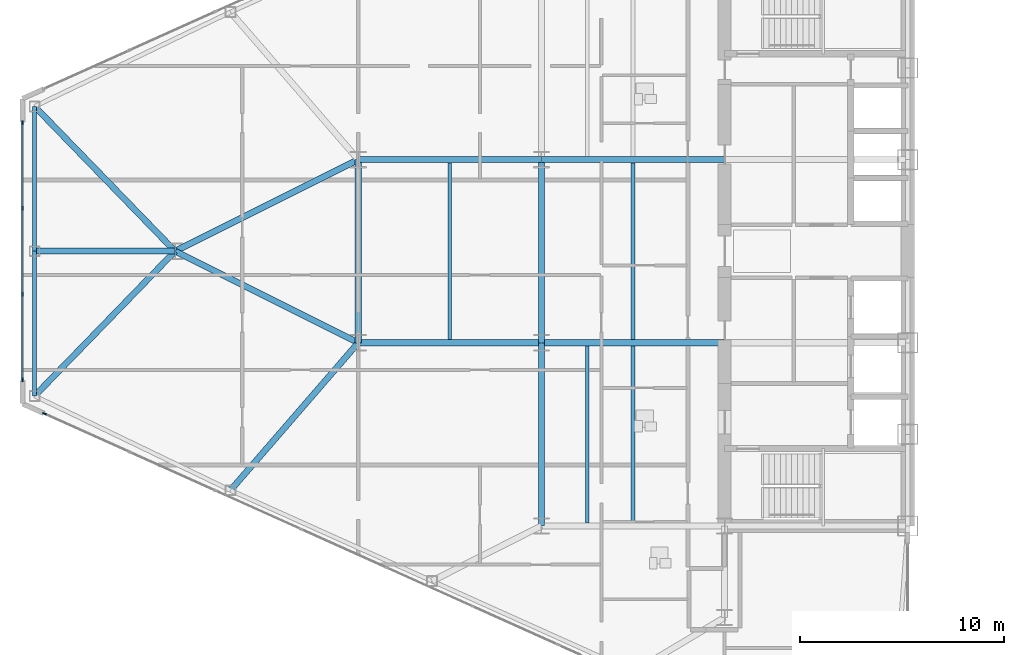
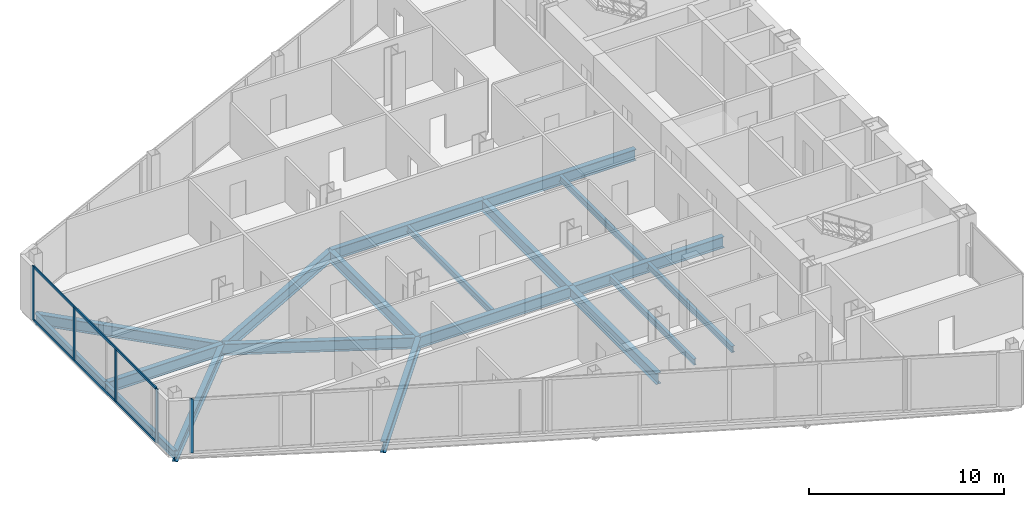
# One storey, part 5 of 27: 19 beams, 7 members, 2 elements without a shape of their own.
"""IFC4 building model written with IfcOpenShell, lengths in metres."""

import ifcopenshell
import ifcopenshell.guid

model = None  # the IFC model being written
_history = None  # IfcOwnerHistory: only IFC2X3 demands one
_inside = {}  # id of a spatial element -> (the spatial element, [elements in it])
_under = {}  # id of a project, library or spatial element -> (it, [spatial elements below it])
_declared = {}  # id of a project -> (the project, [libraries it declares])
_typed = {}  # id of a type object -> (the type object, [elements of that type])
_made_of = {}  # id of a material, layer set ... -> (it, [elements and type objects made of it])


def new_model(schema):
    """Start an empty IFC model of exactly this schema.

    Asked for "IFC4X3", IfcOpenShell would pick the latest addendum, in which some entities
    have other attributes; the version numbers below select the first issue.
    IFC2X3 requires an IfcOwnerHistory on every rooted entity: one is made here for all.
    """
    global model, _history
    if schema == "IFC4X3":
        model = ifcopenshell.file(schema_version=(4, 3, 0, 0))
    else:
        model = ifcopenshell.file(schema=schema)
    _inside.clear()
    _under.clear()
    _declared.clear()
    _typed.clear()
    _made_of.clear()
    _history = None
    if model.schema == "IFC2X3":
        org = make("IfcOrganization", Name="unknown")
        user = make(
            "IfcPersonAndOrganization",
            ThePerson=make("IfcPerson", FamilyName="unknown"),
            TheOrganization=org,
        )
        app = make(
            "IfcApplication",
            ApplicationDeveloper=org,
            Version="unknown",
            ApplicationFullName="unknown",
            ApplicationIdentifier="unknown",
        )
        _history = make(
            "IfcOwnerHistory",
            OwningUser=user,
            OwningApplication=app,
            ChangeAction="ADDED",
            CreationDate=0,
        )
    return model


def make(cls, **values):
    """One entity of the class cls with the attributes given. An attribute that is None is left unset."""
    return model.create_entity(
        cls, **{name: value for name, value in values.items() if value is not None}
    )


def rooted(cls, **values):
    """An entity with a GlobalId (a new one), such as an element, a storey or a relation."""
    return make(cls, GlobalId=ifcopenshell.guid.new(), OwnerHistory=_history, **values)


def si_unit(unit_type, name, prefix=None):
    """IfcSIUnit, for example si_unit("LENGTHUNIT", "METRE", prefix="MILLI")."""
    return make("IfcSIUnit", UnitType=unit_type, Prefix=prefix, Name=name)


def assignment(units):
    """IfcUnitAssignment: the units of a project."""
    return None if units is None else make("IfcUnitAssignment", Units=units)


def point(xyz):
    """IfcCartesianPoint."""
    return None if xyz is None else make("IfcCartesianPoint", Coordinates=xyz)


def direction(xyz):
    """IfcDirection."""
    return None if xyz is None else make("IfcDirection", DirectionRatios=xyz)


def frame(location, z_axis=None, x_axis=None):
    """IfcAxis2Placement3D, a coordinate frame: its origin and axes. An axis left out is left unset."""
    return make(
        "IfcAxis2Placement3D",
        Location=point(location),
        Axis=direction(z_axis),
        RefDirection=direction(x_axis),
    )


def frame_2d(location, x_axis=None):
    """IfcAxis2Placement2D, a coordinate frame in the plane: its origin and x axis."""
    return make(
        "IfcAxis2Placement2D", Location=point(location), RefDirection=direction(x_axis)
    )


def origin():
    """The frame at (0, 0, 0) with its axes left unset."""
    return frame((0.0, 0.0, 0.0))


def origin_2d():
    """The frame at (0, 0) in the plane with its x axis left unset."""
    return frame_2d((0.0, 0.0))


def place(relative_to, where):
    """IfcLocalPlacement: puts the frame where relative to a parent placement (None: the world)."""
    return make(
        "IfcLocalPlacement", PlacementRelTo=relative_to, RelativePlacement=where
    )


def context(
    kind, dimensions, precision=None, world=None, true_north=None, identifier=None
):
    """IfcGeometricRepresentationContext, for example the 3D "Model" context."""
    return make(
        "IfcGeometricRepresentationContext",
        ContextIdentifier=identifier,
        ContextType=kind,
        CoordinateSpaceDimension=dimensions,
        Precision=precision,
        WorldCoordinateSystem=world,
        TrueNorth=true_north,
    )


def subcontext(parent, identifier, kind, view, scale=None):
    """IfcGeometricRepresentationSubContext, for example "Body" below "Model"."""
    return make(
        "IfcGeometricRepresentationSubContext",
        ContextIdentifier=identifier,
        ContextType=kind,
        ParentContext=parent,
        TargetScale=scale,
        TargetView=view,
    )


def project(units=None, contexts=None):
    """IfcProject with its units and contexts."""
    return rooted(
        "IfcProject",
        Name="project",
        RepresentationContexts=contexts,
        UnitsInContext=assignment(units),
    )


def spatial(cls, under=None, at=None, **own):
    """A site, building, storey or space (cls), placed at a placement, below another one or the project."""
    s = rooted(cls, ObjectPlacement=at, **own)
    if under is not None:
        _under.setdefault(under.id(), (under, []))[1].append(s)
    return s


def profile(cls, at=None, kind="AREA", **sizes):
    """A parametric profile (cls). Its sizes go by their IFC names, for example OverallWidth=200.0."""
    return make(cls, ProfileType=kind, Position=at, **sizes)


def rectangle(**sizes):
    """IfcRectangleProfileDef."""
    return profile("IfcRectangleProfileDef", **sizes)


def i_section(**sizes):
    """IfcIShapeProfileDef."""
    return profile("IfcIShapeProfileDef", **sizes)


def extrude(swept, where, along, depth):
    """IfcExtrudedAreaSolid: the profile swept, set in the frame where, extruded along a direction by depth."""
    return make(
        "IfcExtrudedAreaSolid",
        SweptArea=swept,
        Position=where,
        ExtrudedDirection=direction(along),
        Depth=depth,
    )


def shape(context_of_items, identifier, shape_type, items):
    """IfcShapeRepresentation: the items that make up one representation, for example the "Body"."""
    return make(
        "IfcShapeRepresentation",
        ContextOfItems=context_of_items,
        RepresentationIdentifier=identifier,
        RepresentationType=shape_type,
        Items=items,
    )


def source(mapping_origin, context_of_items, identifier, shape_type, items):
    """IfcRepresentationMap: a shape defined once, which mapped items show again and again."""
    return make(
        "IfcRepresentationMap",
        MappingOrigin=mapping_origin,
        MappedRepresentation=shape(context_of_items, identifier, shape_type, items),
    )


def transform(
    local_origin,
    x_axis=None,
    y_axis=None,
    z_axis=None,
    scale=None,
    scale2=None,
    scale3=None,
    uniform=True,
):
    """IfcCartesianTransformationOperator3D, or its non-uniform kind. x_axis, y_axis, z_axis: its Axis1, 2, 3."""
    if uniform:
        return make(
            "IfcCartesianTransformationOperator3D",
            Axis1=direction(x_axis),
            Axis2=direction(y_axis),
            LocalOrigin=point(local_origin),
            Scale=scale,
            Axis3=direction(z_axis),
        )
    return make(
        "IfcCartesianTransformationOperator3DnonUniform",
        Axis1=direction(x_axis),
        Axis2=direction(y_axis),
        LocalOrigin=point(local_origin),
        Scale=scale,
        Axis3=direction(z_axis),
        Scale2=scale2,
        Scale3=scale3,
    )


def mapped(mapping_source, mapping_target):
    """IfcMappedItem: shows the shape of a source again, moved by a transform."""
    return make(
        "IfcMappedItem", MappingSource=mapping_source, MappingTarget=mapping_target
    )


def material(Name=None, Category=None):
    """IfcMaterial."""
    return make("IfcMaterial", Name=Name, Category=Category)


def layer(
    of_material, thickness, ventilated=None, Name=None, Category=None, Priority=None
):
    """IfcMaterialLayer: one layer of a wall or slab, of a material (None: an air gap)."""
    return make(
        "IfcMaterialLayer",
        Material=of_material,
        LayerThickness=thickness,
        IsVentilated=ventilated,
        Name=Name,
        Category=Category,
        Priority=Priority,
    )


def layer_set(layers, Name=None):
    """IfcMaterialLayerSet."""
    return make("IfcMaterialLayerSet", MaterialLayers=layers, LayerSetName=Name)


def material_profile(
    of_material, cross_section, Name=None, Category=None, Priority=None
):
    """IfcMaterialProfile: a cross section and its material."""
    return make(
        "IfcMaterialProfile",
        Name=Name,
        Material=of_material,
        Profile=cross_section,
        Priority=Priority,
        Category=Category,
    )


def profile_set(profiles, Name=None, composite=None):
    """IfcMaterialProfileSet."""
    return make(
        "IfcMaterialProfileSet",
        Name=Name,
        MaterialProfiles=profiles,
        CompositeProfile=composite,
    )


def made_of(thing, what):
    """Note that an element or type object is made of a material, layer set ...; save() writes the relation."""
    if what is not None:
        _made_of.setdefault(what.id(), (what, []))[1].append(thing)
    return thing


def type_object(cls, material=None, **own):
    """A type object (cls), such as IfcWallType, which elements share."""
    return made_of(rooted(cls, **own), material)


def type_shapes(of_type, sources):
    """Give a type object the sources (RepresentationMaps) that its elements show as mapped items."""
    of_type.RepresentationMaps = sources


def element(
    cls,
    number,
    at=None,
    inside=None,
    cuts=None,
    type_object=None,
    material=None,
    context=None,
    identifier="Body",
    shape_type=None,
    held_by="IfcProductDefinitionShape",
    body=None,
    shapes=None,
    **own,
):
    """One element of the class cls, such as IfcWall. Its Tag is "e" and its number.

    at: its placement. inside: the storey or other place that contains it. cuts: it is an
    opening in that element (IfcRelVoidsElement). A single representation is given by context,
    identifier, shape_type and body (its items); several are given by shapes. held_by: the class
    of the entity that holds the representations. save() writes the other relations.
    """
    e = rooted(cls, Tag="e%d" % number, ObjectPlacement=at, **own)
    if body is not None:
        shapes = [shape(context, identifier, shape_type, body)]
    if shapes is not None:
        e.Representation = make(held_by, Representations=shapes)
    if inside is not None:
        _inside.setdefault(inside.id(), (inside, []))[1].append(e)
    if cuts is not None:
        rooted(
            "IfcRelVoidsElement", RelatingBuildingElement=cuts, RelatedOpeningElement=e
        )
    if type_object is not None:
        _typed.setdefault(type_object.id(), (type_object, []))[1].append(e)
    return made_of(e, material)


def aggregate(whole, parts):
    """IfcRelAggregates: a whole, such as a stair, and the parts it consists of."""
    return rooted("IfcRelAggregates", RelatingObject=whole, RelatedObjects=parts)


def save(model, path):
    """Write the relations noted so far, then the file.

    IfcRelAggregates (storeys below a building ...), IfcRelContainedInSpatialStructure (elements
    in a storey), IfcRelDefinesByType, IfcRelAssociatesMaterial and IfcRelDeclares: one each for
    every whole, place, type object, material and project.
    """
    for whole, parts in _under.values():
        aggregate(whole, parts)
    for where, things in _inside.values():
        rooted(
            "IfcRelContainedInSpatialStructure",
            RelatedElements=things,
            RelatingStructure=where,
        )
    for kind, things in _typed.values():
        rooted("IfcRelDefinesByType", RelatedObjects=things, RelatingType=kind)
    for what, things in _made_of.values():
        rooted("IfcRelAssociatesMaterial", RelatedObjects=things, RelatingMaterial=what)
    for by, libraries in _declared.values():
        rooted("IfcRelDeclares", RelatingContext=by, RelatedDefinitions=libraries)
    model.write(path)


model = new_model("IFC4")

# Units and contexts
model_context = context("Model", 3, precision=1e-05, world=origin(), true_north=direction((0.0, 1.0)))
body_context = subcontext(model_context, "Body", "Model", "MODEL_VIEW")
ifc_project = project(units=[si_unit("LENGTHUNIT", "METRE"), si_unit("AREAUNIT", "SQUARE_METRE"), si_unit("VOLUMEUNIT", "CUBIC_METRE"), si_unit("PLANEANGLEUNIT", "RADIAN"), si_unit("MASSUNIT", "GRAM", prefix="KILO")], contexts=[model_context])

# Site, building, storey
site_placement = place(None, origin())
site = spatial("IfcSite", under=ifc_project, at=site_placement, CompositionType="ELEMENT")
building_placement = place(site_placement, origin())
building = spatial("IfcBuilding", under=site, at=building_placement, Name="Seokmaru Belvedere", CompositionType="ELEMENT")
storey_placement = place(building_placement, frame((0.0, 0.0, 106.800048828125)))
storey = spatial("IfcBuildingStorey", under=building, at=storey_placement, Name="L28", CompositionType="ELEMENT", Elevation=106.800048828125)

# Beams
ifc_material_1 = material(Name="Steel SM355 (355 MPa)", Category="steel")
ifc_material_profile_1 = material_profile(ifc_material_1, i_section(OverallWidth=0.300048828125, OverallDepth=0.699951171875, WebThickness=0.012939453125, FlangeThickness=0.02392578125, at=origin_2d()), Name="H-700x300x13x24")
ifc_profile_set_1 = profile_set([ifc_material_profile_1], Name="Steel SM355 (355 MPa)")
beam_type_1 = type_object("IfcBeamType", Name="Primary Floor Girder H-700", PredefinedType="BEAM", material=ifc_profile_set_1)
shared_shape_1 = source(origin(), body_context, "Body", "SweptSolid", [
    extrude(i_section(OverallWidth=0.300048828125, OverallDepth=0.699951171875, WebThickness=0.012939453125, FlangeThickness=0.02392578125, at=origin_2d()), origin(), (0.0, 0.0, 1.0), 9.0),
])
for number, where, z_axis, x_axis, name in (
    (1, (-45.5, -13.5, -0.570068359375), (0.0, 1.0, 0.0), (-1.0, 0.0, 0.0), "L28 W Interior Grid Girder 1"),
    (2, (-45.5, -4.5, -0.570068359375), (0.0, 1.0, 0.0), (-1.0, 0.0, 0.0), "L28 W Interior Grid Girder 2"),
    (3, (-45.5, -4.5, -0.570068359375), (1.0, 0.0, 0.0), (0.0, 1.0, 0.0), "L28 W Wing Primary Girder 2"),
    (4, (-45.5, 4.5, -0.570068359375), (1.0, 0.0, 0.0), (0.0, 1.0, 0.0), "L28 W Wing Primary Girder 3"),
    (5, (-54.5, -4.5, -0.570068359375), (1.0, 0.0, 0.0), (0.0, 1.0, 0.0), "L28 W Outer Wing Girder 1"),
    (6, (-54.5, 4.5, -0.570068359375), (1.0, 0.0, 0.0), (0.0, 1.0, 0.0), "L28 W Outer Wing Girder 2"),
    (7, (-54.5, -4.5, -0.570068359375), (0.0, 1.0, 0.0), (-1.0, 0.0, 0.0), "L28 W Apex Frame Girder"),
):
    element("IfcBeam", number, at=place(storey_placement, frame(where, z_axis=z_axis, x_axis=x_axis)), inside=storey, type_object=beam_type_1, Name=name, PredefinedType="BEAM", context=body_context, shape_type="MappedRepresentation", body=[
        mapped(shared_shape_1, transform((0.0, 0.0, 0.0), scale=1.0)),
    ])
shared_shape_2 = source(origin(), body_context, "Body", "SweptSolid", [
    extrude(i_section(OverallWidth=0.300048828125, OverallDepth=0.699951171875, WebThickness=0.012939453125, FlangeThickness=0.02392578125, at=origin_2d()), origin(), (0.0, 0.0, 1.0), 10.062255859375),
])
for number, where, z_axis, x_axis, name in (
    (8, (-54.5, -4.5, -0.570068359375), (-0.894427191, 0.4472135955, 0.0), (-0.4472135955, -0.894427191, 0.0), "L28 W Apex Converging Girder 1"),
    (9, (-54.5, 4.5, -0.570068359375), (-0.894427191, -0.4472135955, 0.0), (0.4472135955, -0.894427191, 0.0), "L28 W Apex Converging Girder 2"),
):
    element("IfcBeam", number, at=place(storey_placement, frame(where, z_axis=z_axis, x_axis=x_axis)), inside=storey, type_object=beam_type_1, Name=name, PredefinedType="BEAM", context=body_context, shape_type="MappedRepresentation", body=[
        mapped(shared_shape_2, transform((0.0, 0.0, 0.0), scale=1.0)),
    ])
ifc_material_profile_2 = material_profile(ifc_material_1, i_section(OverallWidth=0.18505859375, OverallDepth=0.389892578125, WebThickness=0.008056640625, FlangeThickness=0.011962890625, at=origin_2d()), Name="H-390x185x8x12")
ifc_profile_set_2 = profile_set([ifc_material_profile_2], Name="Steel SM355 (355 MPa)")
beam_type_2 = type_object("IfcBeamType", Name="Secondary Floor Joist H-350", PredefinedType="JOIST", material=ifc_profile_set_2)
shared_shape_3 = source(origin(), body_context, "Body", "SweptSolid", [
    extrude(i_section(OverallWidth=0.18505859375, OverallDepth=0.389892578125, WebThickness=0.008056640625, FlangeThickness=0.011962890625, at=origin_2d()), origin(), (0.0, 0.0, 1.0), 8.68994140625),
])
type_shapes(beam_type_2, [shared_shape_3])
for number, where, z_axis, x_axis, name in (
    (10, (-43.25, -13.344970703125, -0.4150390625), (0.0, 1.0, 0.0), (-1.0, 0.0, 0.0), "L28 W Wing Inner Secondary Joist 1"),
    (11, (-41.0, -13.344970703125, -0.4150390625), (0.0, 1.0, 0.0), (-1.0, 0.0, 0.0), "L28 W Secondary Floor Joist 1"),
    (12, (-41.0, -4.344970703125, -0.4150390625), (0.0, 1.0, 0.0), (-1.0, 0.0, 0.0), "L28 W Secondary Floor Joist 2"),
    (13, (-50.0, -4.344970703125, -0.4150390625), (0.0, 1.0, 0.0), (-1.0, 0.0, 0.0), "L28 W Outer Bay Secondary Joist"),
):
    element("IfcBeam", number, at=place(storey_placement, frame(where, z_axis=z_axis, x_axis=x_axis)), inside=storey, type_object=beam_type_2, Name=name, PredefinedType="JOIST", context=body_context, shape_type="MappedRepresentation", body=[
        mapped(shared_shape_3, transform((0.0, 0.0, 0.0), scale=1.0)),
    ])
ifc_material_profile_3 = material_profile(ifc_material_1, i_section(OverallWidth=0.199951171875, OverallDepth=0.5, WebThickness=0.010009765625, FlangeThickness=0.01611328125, at=origin_2d()), Name="H-500x200x10x16")
ifc_profile_set_3 = profile_set([ifc_material_profile_3], Name="Steel SM355 (355 MPa)")
beam_type_3 = type_object("IfcBeamType", Name="Perimeter Spandrel Beam H-500", PredefinedType="SPANDREL", material=ifc_profile_set_3)
shared_shape_4 = source(origin(), body_context, "Body", "SweptSolid", [
    extrude(i_section(OverallWidth=0.199951171875, OverallDepth=0.5, WebThickness=0.010009765625, FlangeThickness=0.01611328125, at=origin_2d()), origin(), (0.0, 0.0, 1.0), 7.112060546875),
])
type_shapes(beam_type_3, [shared_shape_4])
for number, where, z_axis, x_axis, name in (
    (14, (-70.39990234375, -7.112060546875, -0.469970703125), (0.0, 1.0, 0.0), (-1.0, 0.0, 0.0), "L28 W Faceted Apex Spandrel S"),
    (15, (-70.39990234375, 0.0, -0.469970703125), (0.0, 1.0, 0.0), (-1.0, 0.0, 0.0), "L28 W Faceted Apex Spandrel N"),
):
    element("IfcBeam", number, at=place(storey_placement, frame(where, z_axis=z_axis, x_axis=x_axis)), inside=storey, type_object=beam_type_3, Name=name, PredefinedType="SPANDREL", context=body_context, shape_type="MappedRepresentation", body=[
        mapped(shared_shape_4, transform((0.0, 0.0, 0.0), scale=1.0)),
    ])
shared_shape_5 = source(origin(), body_context, "Body", "SweptSolid", [
    extrude(i_section(OverallWidth=0.300048828125, OverallDepth=0.699951171875, WebThickness=0.012939453125, FlangeThickness=0.02392578125, at=origin_2d()), origin(), (0.0, 0.0, 1.0), 9.589599609375),
])
beam_1_placement = place(storey_placement, frame((-60.777587890625, -11.749267578125, -0.570068359375), z_axis=(0.654626140929, 0.755952786629, 0.0), x_axis=(-0.755952786629, 0.654626140929, 0.0)))
element("IfcBeam", 16, at=beam_1_placement, inside=storey, type_object=beam_type_1, Name="L28 W Flank Radial Floor Girder S-3", PredefinedType="BEAM", context=body_context, shape_type="MappedRepresentation", body=[
    mapped(shared_shape_5, transform((0.0, 0.0, 0.0), scale=1.0)),
])
shared_shape_6 = source(origin(), body_context, "Body", "SweptSolid", [
    extrude(i_section(OverallWidth=0.300048828125, OverallDepth=0.699951171875, WebThickness=0.012939453125, FlangeThickness=0.02392578125, at=origin_2d()), origin(), (0.0, 0.0, 1.0), 9.9091796875),
])
for number, where, z_axis, x_axis, name in (
    (17, (-70.39990234375, -7.112060546875, -0.570068359375), (0.6963205089, 0.717730972499, 0.0), (-0.717730972499, 0.6963205089, 0.0), "L28 W Apex Radial Floor Girder 1"),
    (18, (-70.39990234375, 7.112060546875, -0.570068359375), (0.6963205089, -0.717730972499, 0.0), (0.717730972499, 0.6963205089, 0.0), "L28 W Apex Radial Floor Girder 2"),
):
    element("IfcBeam", number, at=place(storey_placement, frame(where, z_axis=z_axis, x_axis=x_axis)), inside=storey, type_object=beam_type_1, Name=name, PredefinedType="BEAM", context=body_context, shape_type="MappedRepresentation", body=[
        mapped(shared_shape_6, transform((0.0, 0.0, 0.0), scale=1.0)),
    ])
shared_shape_7 = source(origin(), body_context, "Body", "SweptSolid", [
    extrude(i_section(OverallWidth=0.300048828125, OverallDepth=0.699951171875, WebThickness=0.012939453125, FlangeThickness=0.02392578125, at=origin_2d()), origin(), (0.0, 0.0, 1.0), 6.89990234375),
])
type_shapes(beam_type_1, [shared_shape_1, shared_shape_2, shared_shape_5, shared_shape_6, shared_shape_7])
beam_2_placement = place(storey_placement, frame((-70.39990234375, 0.0, -0.570068359375), z_axis=(1.0, 0.0, 0.0), x_axis=(0.0, 1.0, 0.0)))
element("IfcBeam", 19, at=beam_2_placement, inside=storey, type_object=beam_type_1, Name="L28 W Apex Center Radial Girder", PredefinedType="BEAM", context=body_context, shape_type="MappedRepresentation", body=[
    mapped(shared_shape_7, transform((0.0, 0.0, 0.0), scale=1.0)),
])

# Curtain wall, members
ifc_material_2 = material(Name="Bronze Triple Insulating Glass", Category="glass")
ifc_layer = layer(ifc_material_2, 0.195068359375)
ifc_layer_set = layer_set([ifc_layer], Name="Bronze Triple Insulating Glass")
curtain_wall_type = type_object("IfcCurtainWallType", Name="Lower-Mid Tapered Curtain Wall System CW-3", PredefinedType="NOTDEFINED", material=ifc_layer_set)
curtain_wall_1_placement = place(storey_placement, origin())
curtain_wall_1 = element("IfcCurtainWall", 20, at=curtain_wall_1_placement, inside=storey, type_object=curtain_wall_type, Name="L28 Curtain Wall WF4", PredefinedType="NOTDEFINED")
ifc_material_3 = material(Name="Anodised Bronze Aluminium", Category="aluminium")
ifc_material_profile_4 = material_profile(ifc_material_3, rectangle(XDim=0.070068359375, YDim=0.195068359375, at=origin_2d()), Name="CW-M-70x195")
ifc_profile_set_4 = profile_set([ifc_material_profile_4], Name="Anodised Bronze Aluminium")
member_type_1 = type_object("IfcMemberType", Name="Bronze Unitised Mullion 70x195", PredefinedType="MULLION", material=ifc_profile_set_4)
shared_shape_8 = source(origin(), body_context, "Body", "SweptSolid", [
    extrude(rectangle(XDim=0.070068359375, YDim=0.195068359375, at=origin_2d()), origin(), (0.0, 0.0, 1.0), 3.3798828125),
])
member_1_placement = place(storey_placement, frame((-71.0, 6.31494140625, 0.0), z_axis=(0.0, 0.0, 1.0), x_axis=(1.0, 0.0, 0.0)))
member_1 = element("IfcMember", 21, at=member_1_placement, type_object=member_type_1, Name="CW:L28:WF4 Mullion 1", PredefinedType="MULLION", context=body_context, shape_type="MappedRepresentation", body=[
    mapped(shared_shape_8, transform((0.0, 0.0, 0.0), scale=1.0)),
])
member_2_placement = place(storey_placement, frame((-71.0, -6.31494140625, 0.0), z_axis=(0.0, 0.0, 1.0), x_axis=(1.0, 0.0, 0.0)))
member_2 = element("IfcMember", 22, at=member_2_placement, type_object=member_type_1, Name="CW:L28:WF4 Mullion 4", PredefinedType="MULLION", context=body_context, shape_type="MappedRepresentation", body=[
    mapped(shared_shape_8, transform((0.0, 0.0, 0.0), scale=1.0)),
])

# Curtain wall, member
curtain_wall_2_placement = place(storey_placement, origin())
curtain_wall_2 = element("IfcCurtainWall", 23, at=curtain_wall_2_placement, inside=storey, type_object=curtain_wall_type, Name="L28 Curtain Wall WF5", PredefinedType="NOTDEFINED")
member_3_placement = place(storey_placement, frame((-69.91943359375, -7.986328125, 0.0), z_axis=(0.0, 0.0, 1.0), x_axis=(0.41036554765, 0.91192111353, 0.0)))
member_3 = element("IfcMember", 24, at=member_3_placement, type_object=member_type_1, Name="CW:L28:WF5 Mullion 1", PredefinedType="MULLION", context=body_context, shape_type="MappedRepresentation", body=[
    mapped(shared_shape_8, transform((0.0, 0.0, 0.0), scale=1.0)),
])
aggregate(curtain_wall_2, [member_3])

# Member
shared_shape_9 = source(origin(), body_context, "Body", "SweptSolid", [
    extrude(rectangle(XDim=0.070068359375, YDim=0.195068359375, at=origin_2d()), origin(), (0.0, 0.0, 1.0), 3.239990234375),
])
type_shapes(member_type_1, [shared_shape_8, shared_shape_9])
member_4_placement = place(storey_placement, frame((-71.0, 2.11669921875, 0.070068359375), z_axis=(0.0, 0.0, 1.0), x_axis=(1.0, 0.0, 0.0)))
member_4 = element("IfcMember", 25, at=member_4_placement, type_object=member_type_1, Name="CW:L28:WF4 Mullion 2", PredefinedType="MULLION", context=body_context, shape_type="MappedRepresentation", body=[
    mapped(shared_shape_9, transform((0.0, 0.0, 0.0), scale=1.0)),
])

member_5_placement = place(storey_placement, frame((-71.0, -2.11669921875, 0.070068359375), z_axis=(0.0, 0.0, 1.0), x_axis=(1.0, 0.0, 0.0)))
member_5 = element("IfcMember", 26, at=member_5_placement, type_object=member_type_1, Name="CW:L28:WF4 Mullion 3", PredefinedType="MULLION", context=body_context, shape_type="MappedRepresentation", body=[
    mapped(shared_shape_9, transform((0.0, 0.0, 0.0), scale=1.0)),
])

ifc_material_profile_5 = material_profile(ifc_material_3, rectangle(XDim=0.070068359375, YDim=0.1650390625, at=origin_2d()), Name="CW-T-70x165")
ifc_profile_set_5 = profile_set([ifc_material_profile_5], Name="Anodised Bronze Aluminium")
member_type_2 = type_object("IfcMemberType", Name="Bronze Unitised Transom 70x165", PredefinedType="USERDEFINED", material=ifc_profile_set_5)
shared_shape_10 = source(origin(), body_context, "Body", "SweptSolid", [
    extrude(rectangle(XDim=0.070068359375, YDim=0.1650390625, at=origin_2d()), origin(), (0.0, 0.0, 1.0), 12.56005859375),
])
type_shapes(member_type_2, [shared_shape_10])
member_6_placement = place(storey_placement, frame((-71.0, 6.280029296875, 0.034912109375), z_axis=(0.0, -1.0, 0.0), x_axis=(1.0, 0.0, 0.0)))
member_6 = element("IfcMember", 27, at=member_6_placement, type_object=member_type_2, Name="CW:L28:WF4 Continuous Transom 1", ObjectType="TRANSOM", PredefinedType="USERDEFINED", context=body_context, shape_type="MappedRepresentation", body=[
    mapped(shared_shape_10, transform((0.0, 0.0, 0.0), scale=1.0)),
])

member_7_placement = place(storey_placement, frame((-71.0, 6.280029296875, 3.344970703125), z_axis=(0.0, -1.0, 0.0), x_axis=(1.0, 0.0, 0.0)))
member_7 = element("IfcMember", 28, at=member_7_placement, type_object=member_type_2, Name="CW:L28:WF4 Continuous Transom 2", ObjectType="TRANSOM", PredefinedType="USERDEFINED", context=body_context, shape_type="MappedRepresentation", body=[
    mapped(shared_shape_10, transform((0.0, 0.0, 0.0), scale=1.0)),
])

aggregate(curtain_wall_1, [member_1, member_4, member_5, member_2, member_6, member_7])

save(model, "model.ifc")
